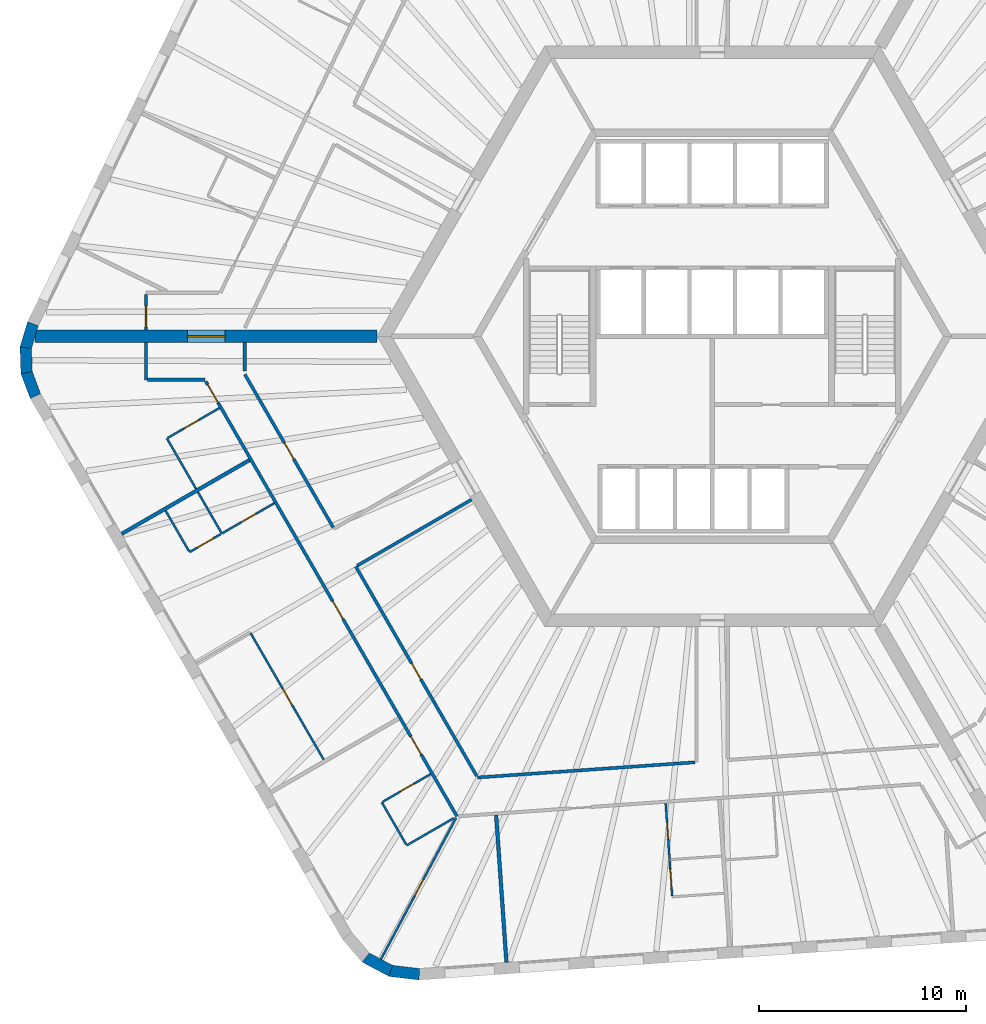
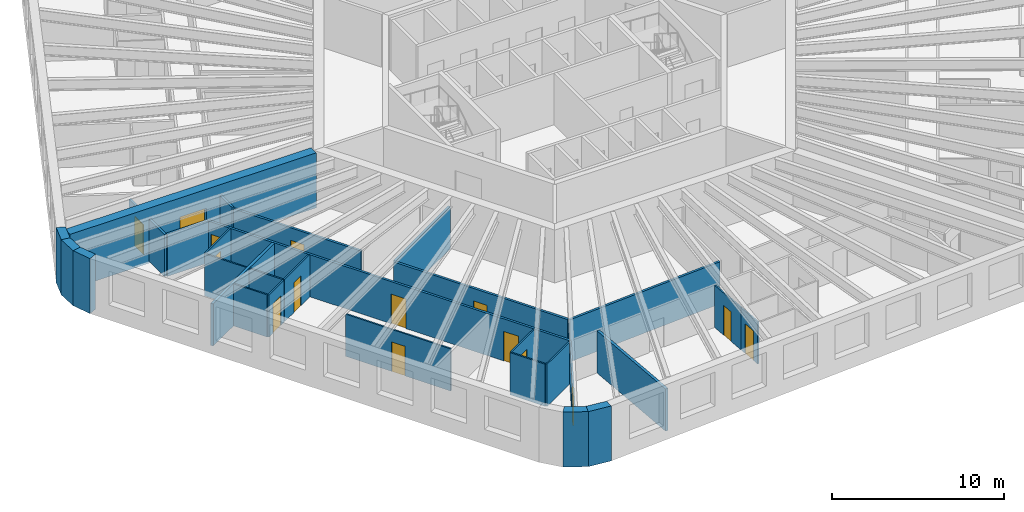
# One storey, part 3 of 11: 30 walls, 15 doors, 15 openings.
"""IFC4 building model written with IfcOpenShell, lengths in metres."""

from ifc_helpers import new_model, si_unit, direction, frame, frame_2d, origin, place, context, subcontext, project, spatial, polyline, rectangle, outline, extrude, material, layer, layer_set, type_object, element, fill, save


model = new_model("IFC4")

# Units and contexts
model_context = context("Model", 3, precision=1e-05, world=origin(), true_north=direction((0.0, 1.0)))
body_context = subcontext(model_context, "Body", "Model", "MODEL_VIEW")
ifc_project = project(units=[si_unit("LENGTHUNIT", "METRE"), si_unit("AREAUNIT", "SQUARE_METRE"), si_unit("VOLUMEUNIT", "CUBIC_METRE"), si_unit("PLANEANGLEUNIT", "RADIAN"), si_unit("MASSUNIT", "GRAM", prefix="KILO")], contexts=[model_context])

# Site, building, storey
site_placement = place(None, origin())
site = spatial("IfcSite", under=ifc_project, at=site_placement, CompositionType="ELEMENT")
building_placement = place(site_placement, origin())
building = spatial("IfcBuilding", under=site, at=building_placement, Name="Tarnside Tower", CompositionType="ELEMENT")
storey_placement = place(building_placement, frame((0.0, 0.0, 103.800048828125)))
storey = spatial("IfcBuildingStorey", under=building, at=storey_placement, Name="L23", CompositionType="ELEMENT", Elevation=103.800048828125)

# Wall
ifc_material_1 = material(Name="Gypsum board partition on steel studs", Category="steel")
ifc_layer_1 = layer(ifc_material_1, 0.10009765625)
ifc_layer_set_1 = layer_set([ifc_layer_1], Name="Bathroom wall 100")
wall_type_1 = type_object("IfcWallType", Name="Bathroom wall 100", PredefinedType="PARTITIONING", material=ifc_layer_set_1)
wall_1_placement = place(storey_placement, frame((-24.90673828125, -7.360595703125, 0.0), z_axis=(0.0, 0.0, 1.0), x_axis=(-0.499933044277, 0.866064057238, 0.0)))
element("IfcWall", 1, at=wall_1_placement, inside=storey, type_object=wall_type_1, Name="Bathroom wall 07102", PredefinedType="PARTITIONING", context=body_context, shape_type="SweptSolid", body=[
    extrude(rectangle(XDim=2.81005859375, YDim=0.10009765625, at=frame_2d((1.405029296875, 0.0))), origin(), (0.0, 0.0, 1.0), 2.98779296875),
])

# Wall, opening, door
wall_2_placement = place(storey_placement, frame((-26.268310546875, -4.90185546875, 0.0), z_axis=(0.0, 0.0, 1.0), x_axis=(0.866018712932, 0.500011588718, 0.0)))
wall_2 = element("IfcWall", 2, at=wall_2_placement, inside=storey, type_object=wall_type_1, Name="Bathroom wall 07103", PredefinedType="PARTITIONING", context=body_context, shape_type="SweptSolid", body=[
    extrude(rectangle(XDim=2.875, YDim=0.10009765625, at=frame_2d((1.4375, 0.0))), origin(), (0.0, 0.0, 1.0), 2.98779296875),
])
opening_1_placement = place(wall_2_placement, frame((0.89990234375, 0.0, 0.0)))
opening_1 = element("IfcOpeningElement", 3, at=opening_1_placement, cuts=wall_2, Name="Opening D-B1", PredefinedType="OPENING", context=body_context, shape_type="SweptSolid", body=[
    extrude(rectangle(XDim=0.800048828125, YDim=2.10009765625, at=frame_2d((0.39990234375, 1.050048828125))), frame((0.0, 0.06005859375, 0.0), z_axis=(0.0, -1.0, 0.0), x_axis=(1.0, 0.0, 0.0)), (0.0, 0.0, 1.0), 0.1201171875),
])
ifc_material_2 = material(Name="Timber door leaf", Category="wood")
door_type_1 = type_object("IfcDoorType", Name="Bathroom door 800", OperationType="NOTDEFINED", PredefinedType="DOOR", material=ifc_material_2)
door_1_placement = place(opening_1_placement, origin())
door_1 = element("IfcDoor", 4, at=door_1_placement, inside=storey, type_object=door_type_1, Name="Bathroom door 07015", OperationType="SINGLE_SWING_RIGHT", OverallHeight=2.10009765625, OverallWidth=0.800048828125, PredefinedType="DOOR", context=body_context, shape_type="SweptSolid", body=[
    extrude(rectangle(XDim=0.800048828125, YDim=2.10009765625, at=frame_2d((0.39990234375, 1.050048828125))), frame((0.0, 0.02490234375, 0.0), z_axis=(0.0, -1.0, 0.0), x_axis=(1.0, 0.0, 0.0)), (0.0, 0.0, 1.0), 0.050048828125),
])
fill(opening_1, door_1)

wall_3_placement = place(storey_placement, frame((-21.12841796875, -8.054443359375, 0.0), z_axis=(0.0, 0.0, 1.0), x_axis=(-0.866046596414, -0.499963291492, 0.0)))
wall_3 = element("IfcWall", 5, at=wall_3_placement, inside=storey, type_object=wall_type_1, Name="Bathroom wall 07107", PredefinedType="PARTITIONING", context=body_context, shape_type="SweptSolid", body=[
    extrude(rectangle(XDim=2.925048828125, YDim=0.10009765625, at=frame_2d((1.46240234375, 0.0))), origin(), (0.0, 0.0, 1.0), 2.98779296875),
])
opening_2_placement = place(wall_3_placement, frame((1.02490234375, 0.0, 0.0)))
opening_2 = element("IfcOpeningElement", 6, at=opening_2_placement, cuts=wall_3, Name="Opening D-B1", PredefinedType="OPENING", context=body_context, shape_type="SweptSolid", body=[
    extrude(rectangle(XDim=0.800048828125, YDim=2.10009765625, at=frame_2d((0.39990234375, 1.050048828125))), frame((0.0, 0.06005859375, 0.0), z_axis=(0.0, -1.0, 0.0), x_axis=(1.0, 0.0, 0.0)), (0.0, 0.0, 1.0), 0.1201171875),
])
door_2_placement = place(opening_2_placement, origin())
door_2 = element("IfcDoor", 7, at=door_2_placement, inside=storey, type_object=door_type_1, Name="Bathroom door 07017", OperationType="SINGLE_SWING_RIGHT", OverallHeight=2.10009765625, OverallWidth=0.800048828125, PredefinedType="DOOR", context=body_context, shape_type="SweptSolid", body=[
    extrude(rectangle(XDim=0.800048828125, YDim=2.10009765625, at=frame_2d((0.39990234375, 1.050048828125))), frame((0.0, 0.02490234375, 0.0), z_axis=(0.0, -1.0, 0.0), x_axis=(1.0, 0.0, 0.0)), (0.0, 0.0, 1.0), 0.050048828125),
])
fill(opening_2, door_2)

# Walls
wall_4_placement = place(storey_placement, frame((-24.816650390625, -7.516357421875, 0.0), z_axis=(0.0, 0.0, 1.0), x_axis=(0.500031020067, -0.8660074936, 0.0)))
element("IfcWall", 8, at=wall_4_placement, inside=storey, type_object=wall_type_1, Name="Bathroom wall 07113", PredefinedType="PARTITIONING", context=body_context, shape_type="SweptSolid", body=[
    extrude(rectangle(XDim=2.260009765625, YDim=0.10009765625, at=frame_2d((1.1298828125, 0.0))), origin(), (0.0, 0.0, 1.0), 2.98779296875),
])
wall_5_placement = place(storey_placement, frame((-12.465576171875, -23.251220703125, 0.0), z_axis=(0.0, 0.0, 1.0), x_axis=(-0.866017009382, -0.50001453925, 0.0)))
element("IfcWall", 9, at=wall_5_placement, inside=storey, type_object=wall_type_1, Name="Bathroom wall 07115", PredefinedType="PARTITIONING", context=body_context, shape_type="SweptSolid", body=[
    extrude(rectangle(XDim=2.62890625, YDim=0.10009765625, at=frame_2d((1.314453125, 0.0))), origin(), (0.0, 0.0, 1.0), 2.98779296875),
])
wall_6_placement = place(storey_placement, frame((-14.767333984375, -24.5224609375, 0.0), z_axis=(0.0, 0.0, 1.0), x_axis=(-0.499938297808, 0.866061024631, 0.0)))
element("IfcWall", 10, at=wall_6_placement, inside=storey, type_object=wall_type_1, Name="Bathroom wall 07116", PredefinedType="PARTITIONING", context=body_context, shape_type="SweptSolid", body=[
    extrude(rectangle(XDim=2.349853515625, YDim=0.10009765625, at=frame_2d((1.1748046875, 0.0))), origin(), (0.0, 0.0, 1.0), 2.98779296875),
])

# Wall, opening, door
wall_7_placement = place(storey_placement, frame((-15.89892578125, -22.462158203125, 0.0), z_axis=(0.0, 0.0, 1.0), x_axis=(0.86604424267, 0.499967368674, 0.0)))
wall_7 = element("IfcWall", 11, at=wall_7_placement, inside=storey, type_object=wall_type_1, Name="Bathroom wall 07117", PredefinedType="PARTITIONING", context=body_context, shape_type="SweptSolid", body=[
    extrude(rectangle(XDim=2.675048828125, YDim=0.10009765625, at=frame_2d((1.33740234375, 0.0))), origin(), (0.0, 0.0, 1.0), 2.98779296875),
])
opening_3_placement = place(wall_7_placement, frame((0.949951171875, 0.0, 0.0)))
opening_3 = element("IfcOpeningElement", 12, at=opening_3_placement, cuts=wall_7, Name="Opening D-B1", PredefinedType="OPENING", context=body_context, shape_type="SweptSolid", body=[
    extrude(rectangle(XDim=0.800048828125, YDim=2.10009765625, at=frame_2d((0.39990234375, 1.050048828125))), frame((0.0, 0.06005859375, 0.0), z_axis=(0.0, -1.0, 0.0), x_axis=(1.0, 0.0, 0.0)), (0.0, 0.0, 1.0), 0.1201171875),
])
door_3_placement = place(opening_3_placement, origin())
door_3 = element("IfcDoor", 13, at=door_3_placement, inside=storey, type_object=door_type_1, Name="Bathroom door 07021", OperationType="SINGLE_SWING_RIGHT", OverallHeight=2.10009765625, OverallWidth=0.800048828125, PredefinedType="DOOR", context=body_context, shape_type="SweptSolid", body=[
    extrude(rectangle(XDim=0.800048828125, YDim=2.10009765625, at=frame_2d((0.39990234375, 1.050048828125))), frame((0.0, 0.02490234375, 0.0), z_axis=(0.0, -1.0, 0.0), x_axis=(1.0, 0.0, 0.0)), (0.0, 0.0, 1.0), 0.050048828125),
])
fill(opening_3, door_3)

wall_8_placement = place(storey_placement, frame((-2.054443359375, -25.2548828125, 0.0), z_axis=(0.0, 0.0, 1.0), x_axis=(-0.069789009646, 0.997561774595, 0.0)))
wall_8 = element("IfcWall", 14, at=wall_8_placement, inside=storey, type_object=wall_type_1, Name="Bathroom wall 07120", PredefinedType="PARTITIONING", context=body_context, shape_type="SweptSolid", body=[
    extrude(rectangle(XDim=2.72509765625, YDim=0.10009765625, at=frame_2d((1.362548828125, 0.0))), origin(), (0.0, 0.0, 1.0), 2.98779296875),
])
opening_4_placement = place(wall_8_placement, frame((1.0, 0.0, 0.0)))
opening_4 = element("IfcOpeningElement", 15, at=opening_4_placement, cuts=wall_8, Name="Opening D-B1", PredefinedType="OPENING", context=body_context, shape_type="SweptSolid", body=[
    extrude(rectangle(XDim=0.800048828125, YDim=2.10009765625, at=frame_2d((0.39990234375, 1.050048828125))), frame((0.0, 0.06005859375, 0.0), z_axis=(0.0, -1.0, 0.0), x_axis=(1.0, 0.0, 0.0)), (0.0, 0.0, 1.0), 0.1201171875),
])
door_4_placement = place(opening_4_placement, origin())
door_4 = element("IfcDoor", 16, at=door_4_placement, inside=storey, type_object=door_type_1, Name="Bathroom door 07024", OperationType="SINGLE_SWING_LEFT", OverallHeight=2.10009765625, OverallWidth=0.800048828125, PredefinedType="DOOR", context=body_context, shape_type="SweptSolid", body=[
    extrude(rectangle(XDim=0.800048828125, YDim=2.10009765625, at=frame_2d((0.39990234375, 1.050048828125))), frame((0.0, 0.02490234375, 0.0), z_axis=(0.0, -1.0, 0.0), x_axis=(1.0, 0.0, 0.0)), (0.0, 0.0, 1.0), 0.050048828125),
])
fill(opening_4, door_4)

ifc_material_3 = material(Name="Concrete C80/95", Category="concrete")
ifc_layer_2 = layer(ifc_material_3, 0.60009765625)
ifc_layer_set_2 = layer_set([ifc_layer_2], Name="Core wall Z1 600 C80/95")
wall_type_2 = type_object("IfcWallType", Name="Core wall Z1 600 C80/95", PredefinedType="SHEAR", material=ifc_layer_set_2)
wall_9_placement = place(storey_placement, frame((-16.165771484375, 0.0, -0.150146484375), z_axis=(0.0, 0.0, 1.0), x_axis=(-1.0, 0.0, 0.0)))
wall_9 = element("IfcWall", 17, at=wall_9_placement, inside=storey, type_object=wall_type_2, Name="L23 spine wall 2", PredefinedType="SHEAR", context=body_context, shape_type="SweptSolid", body=[
    extrude(rectangle(XDim=16.509033203125, YDim=0.60009765625, at=frame_2d((8.25439453125, 0.0))), origin(), (0.0, 0.0, 1.0), 3.900146484375),
])
opening_5_placement = place(wall_9_placement, frame((7.3544921875, 0.0, 0.14990234375)))
opening_5 = element("IfcOpeningElement", 18, at=opening_5_placement, cuts=wall_9, Name="Opening CD-SPN", PredefinedType="OPENING", context=body_context, shape_type="SweptSolid", body=[
    extrude(rectangle(XDim=1.800048828125, YDim=2.39990234375, at=frame_2d((0.89990234375, 1.199951171875))), frame((0.0, 0.31005859375, 0.0), z_axis=(0.0, -1.0, 0.0), x_axis=(1.0, 0.0, 0.0)), (0.0, 0.0, 1.0), 0.6201171875),
])
ifc_material_4 = material(Name="Steel fire door", Category="steel")
door_type_2 = type_object("IfcDoorType", Name="Spine passage double door FD60 1800x2400", OperationType="NOTDEFINED", PredefinedType="DOOR", material=ifc_material_4)
door_5_placement = place(opening_5_placement, origin())
door_5 = element("IfcDoor", 19, at=door_5_placement, inside=storey, type_object=door_type_2, Name="L23 spine passage door 2", OperationType="DOUBLE_DOOR_SINGLE_SWING", OverallHeight=2.39990234375, OverallWidth=1.800048828125, PredefinedType="DOOR", context=body_context, shape_type="SweptSolid", body=[
    extrude(rectangle(XDim=1.800048828125, YDim=2.39990234375, at=frame_2d((0.89990234375, 1.199951171875))), frame((0.0, 0.02490234375, 0.0), z_axis=(0.0, -1.0, 0.0), x_axis=(1.0, 0.0, 0.0)), (0.0, 0.0, 1.0), 0.050048828125),
])
fill(opening_5, door_5)

ifc_layer_3 = layer(ifc_material_1, 0.14990234375)
ifc_layer_set_3 = layer_set([ifc_layer_3], Name="Corridor wall 150 EI 60")
wall_type_3 = type_object("IfcWallType", Name="Corridor wall 150 EI 60", PredefinedType="PARTITIONING", material=ifc_layer_set_3)
wall_10_placement = place(storey_placement, frame((-27.3203125, 2.02490234375, 0.0), z_axis=(0.0, 0.0, 1.0), x_axis=(0.0, -1.0, 0.0)))
wall_10 = element("IfcWall", 20, at=wall_10_placement, inside=storey, type_object=wall_type_3, Name="Corridor wall 07017", PredefinedType="PARTITIONING", context=body_context, shape_type="SweptSolid", body=[
    extrude(rectangle(XDim=1.724853515625, YDim=0.14990234375, at=frame_2d((0.8623046875, 0.0))), origin(), (0.0, 0.0, 1.0), 2.98779296875),
])
opening_6_placement = place(wall_10_placement, frame((0.574951171875, 0.0, 0.0)))
opening_6 = element("IfcOpeningElement", 21, at=opening_6_placement, cuts=wall_10, Name="Opening D-E1", PredefinedType="OPENING", context=body_context, shape_type="SweptSolid", body=[
    extrude(rectangle(XDim=1.0, YDim=2.10009765625, at=frame_2d((0.5, 1.050048828125))), frame((0.0, 0.0849609375, 0.0), z_axis=(0.0, -1.0, 0.0), x_axis=(1.0, 0.0, 0.0)), (0.0, 0.0, 1.0), 0.169921875),
])
door_type_3 = type_object("IfcDoorType", Name="Unit entrance door 1000 FD30S", OperationType="NOTDEFINED", PredefinedType="DOOR", material=ifc_material_2)
door_6_placement = place(opening_6_placement, origin())
door_6 = element("IfcDoor", 22, at=door_6_placement, inside=storey, type_object=door_type_3, Name="Unit door 07013", OperationType="SINGLE_SWING_LEFT", OverallHeight=2.10009765625, OverallWidth=1.0, PredefinedType="DOOR", context=body_context, shape_type="SweptSolid", body=[
    extrude(rectangle(XDim=1.0, YDim=2.10009765625, at=frame_2d((0.5, 1.050048828125))), frame((0.0, 0.02490234375, 0.0), z_axis=(0.0, -1.0, 0.0), x_axis=(1.0, 0.0, 0.0)), (0.0, 0.0, 1.0), 0.050048828125),
])
fill(opening_6, door_6)

# Walls
wall_11_placement = place(storey_placement, frame((-27.3203125, -0.300048828125, 0.0), z_axis=(0.0, 0.0, 1.0), x_axis=(0.0, -1.0, 0.0)))
element("IfcWall", 23, at=wall_11_placement, inside=storey, type_object=wall_type_3, Name="Corridor wall 07027", PredefinedType="PARTITIONING", context=body_context, shape_type="SweptSolid", body=[
    extrude(rectangle(XDim=1.800048828125, YDim=0.14990234375, at=frame_2d((0.89990234375, 0.0))), origin(), (0.0, 0.0, 1.0), 2.98779296875),
])
wall_12_placement = place(storey_placement, frame((-27.245361328125, -2.10009765625, 0.0), z_axis=(0.0, 0.0, 1.0), x_axis=(1.0, 0.0, 0.0)))
element("IfcWall", 24, at=wall_12_placement, inside=storey, type_object=wall_type_3, Name="Corridor wall 07028", PredefinedType="PARTITIONING", context=body_context, shape_type="SweptSolid", body=[
    extrude(rectangle(XDim=2.765625, YDim=0.14990234375, at=frame_2d((1.3828125, 0.0))), origin(), (0.0, 0.0, 1.0), 2.98779296875),
])

# Wall, openings, doors
wall_13_placement = place(storey_placement, frame((-24.436279296875, -2.175048828125, 0.0), z_axis=(0.0, 0.0, 1.0), x_axis=(0.499996816197, -0.866027241946, 0.0)))
wall_13 = element("IfcWall", 25, at=wall_13_placement, inside=storey, type_object=wall_type_3, Name="Corridor wall 07029", PredefinedType="PARTITIONING", context=body_context, shape_type="SweptSolid", body=[
    extrude(rectangle(XDim=24.238037109375, YDim=0.14990234375, at=frame_2d((12.119140625, 0.0))), origin(), (0.0, 0.0, 1.0), 2.98779296875),
])
opening_7_placement = place(wall_13_placement, frame((0.179443359375, 0.0, 0.0)))
opening_7 = element("IfcOpeningElement", 26, at=opening_7_placement, cuts=wall_13, Name="Opening D-E1", PredefinedType="OPENING", context=body_context, shape_type="SweptSolid", body=[
    extrude(rectangle(XDim=1.0, YDim=2.10009765625, at=frame_2d((0.5, 1.050048828125))), frame((0.0, 0.0849609375, 0.0), z_axis=(0.0, -1.0, 0.0), x_axis=(1.0, 0.0, 0.0)), (0.0, 0.0, 1.0), 0.169921875),
])
opening_8_placement = place(wall_13_placement, frame((12.24560546875, 0.0, 0.0)))
opening_8 = element("IfcOpeningElement", 27, at=opening_8_placement, cuts=wall_13, Name="Opening D-E1", PredefinedType="OPENING", context=body_context, shape_type="SweptSolid", body=[
    extrude(rectangle(XDim=1.0, YDim=2.10009765625, at=frame_2d((0.5, 1.050048828125))), frame((0.0, 0.0849609375, 0.0), z_axis=(0.0, -1.0, 0.0), x_axis=(1.0, 0.0, 0.0)), (0.0, 0.0, 1.0), 0.169921875),
])
opening_9_placement = place(wall_13_placement, frame((19.791748046875, 0.0, 0.0)))
opening_9 = element("IfcOpeningElement", 28, at=opening_9_placement, cuts=wall_13, Name="Opening D-E1", PredefinedType="OPENING", context=body_context, shape_type="SweptSolid", body=[
    extrude(rectangle(XDim=1.0, YDim=2.10009765625, at=frame_2d((0.5, 1.050048828125))), frame((0.0, 0.0849609375, 0.0), z_axis=(0.0, -1.0, 0.0), x_axis=(1.0, 0.0, 0.0)), (0.0, 0.0, 1.0), 0.169921875),
])
door_7_placement = place(opening_7_placement, origin())
door_7 = element("IfcDoor", 29, at=door_7_placement, inside=storey, type_object=door_type_3, Name="Unit door 07014", OperationType="SINGLE_SWING_RIGHT", OverallHeight=2.10009765625, OverallWidth=1.0, PredefinedType="DOOR", context=body_context, shape_type="SweptSolid", body=[
    extrude(rectangle(XDim=1.0, YDim=2.10009765625, at=frame_2d((0.5, 1.050048828125))), frame((0.0, 0.02490234375, 0.0), z_axis=(0.0, -1.0, 0.0), x_axis=(1.0, 0.0, 0.0)), (0.0, 0.0, 1.0), 0.050048828125),
])
fill(opening_7, door_7)
door_8_placement = place(opening_8_placement, origin())
door_8 = element("IfcDoor", 30, at=door_8_placement, inside=storey, type_object=door_type_3, Name="Unit door 07016", OperationType="SINGLE_SWING_RIGHT", OverallHeight=2.10009765625, OverallWidth=1.0, PredefinedType="DOOR", context=body_context, shape_type="SweptSolid", body=[
    extrude(rectangle(XDim=1.0, YDim=2.10009765625, at=frame_2d((0.5, 1.050048828125))), frame((0.0, 0.02490234375, 0.0), z_axis=(0.0, -1.0, 0.0), x_axis=(1.0, 0.0, 0.0)), (0.0, 0.0, 1.0), 0.050048828125),
])
fill(opening_8, door_8)
door_9_placement = place(opening_9_placement, origin())
door_9 = element("IfcDoor", 31, at=door_9_placement, inside=storey, type_object=door_type_3, Name="Unit door 07020", OperationType="SINGLE_SWING_RIGHT", OverallHeight=2.10009765625, OverallWidth=1.0, PredefinedType="DOOR", context=body_context, shape_type="SweptSolid", body=[
    extrude(rectangle(XDim=1.0, YDim=2.10009765625, at=frame_2d((0.5, 1.050048828125))), frame((0.0, 0.02490234375, 0.0), z_axis=(0.0, -1.0, 0.0), x_axis=(1.0, 0.0, 0.0)), (0.0, 0.0, 1.0), 0.050048828125),
])
fill(opening_9, door_9)

# Wall, opening, door
wall_14_placement = place(storey_placement, frame((-18.287109375, -9.225830078125, 0.0), z_axis=(0.0, 0.0, 1.0), x_axis=(-0.500004853958, 0.866022601332, 0.0)))
wall_14 = element("IfcWall", 32, at=wall_14_placement, inside=storey, type_object=wall_type_3, Name="Corridor wall 07044", PredefinedType="PARTITIONING", context=body_context, shape_type="SweptSolid", body=[
    extrude(rectangle(XDim=8.53125, YDim=0.14990234375, at=frame_2d((4.265625, 0.0))), origin(), (0.0, 0.0, 1.0), 2.98779296875),
])
opening_10_placement = place(wall_14_placement, frame((3.815673828125, 0.0, 0.0)))
opening_10 = element("IfcOpeningElement", 33, at=opening_10_placement, cuts=wall_14, Name="Opening D-S1", PredefinedType="OPENING", context=body_context, shape_type="SweptSolid", body=[
    extrude(rectangle(XDim=0.89990234375, YDim=2.10009765625, at=frame_2d((0.449951171875, 1.050048828125))), frame((0.0, 0.0849609375, 0.0), z_axis=(0.0, -1.0, 0.0), x_axis=(1.0, 0.0, 0.0)), (0.0, 0.0, 1.0), 0.169921875),
])
door_type_4 = type_object("IfcDoorType", Name="Service room door 900 FD30S", OperationType="NOTDEFINED", PredefinedType="DOOR", material=ifc_material_2)
door_10_placement = place(opening_10_placement, origin())
door_10 = element("IfcDoor", 34, at=door_10_placement, inside=storey, type_object=door_type_4, Name="Service door 07045", OperationType="SINGLE_SWING_RIGHT", OverallHeight=2.10009765625, OverallWidth=0.89990234375, PredefinedType="DOOR", context=body_context, shape_type="SweptSolid", body=[
    extrude(rectangle(XDim=0.89990234375, YDim=2.10009765625, at=frame_2d((0.449951171875, 1.050048828125))), frame((0.0, 0.02490234375, 0.0), z_axis=(0.0, -1.0, 0.0), x_axis=(1.0, 0.0, 0.0)), (0.0, 0.0, 1.0), 0.050048828125),
])
fill(opening_10, door_10)

# Walls
wall_15_placement = place(storey_placement, frame((-22.552734375, -1.6875, 0.0), z_axis=(0.0, 0.0, 1.0), x_axis=(0.0, 1.0, 0.0)))
element("IfcWall", 35, at=wall_15_placement, inside=storey, type_object=wall_type_3, Name="Corridor wall 07045", PredefinedType="PARTITIONING", context=body_context, shape_type="SweptSolid", body=[
    extrude(rectangle(XDim=1.387451171875, YDim=0.14990234375, at=frame_2d((0.69384765625, 0.0))), origin(), (0.0, 0.0, 1.0), 2.98779296875),
])
wall_16_placement = place(storey_placement, frame((-0.824951171875, -20.5576171875, 0.0), z_axis=(0.0, 0.0, 1.0), x_axis=(-0.997564524135, -0.069749696677, 0.0)))
element("IfcWall", 36, at=wall_16_placement, inside=storey, type_object=wall_type_3, Name="Corridor wall 07047", PredefinedType="PARTITIONING", context=body_context, shape_type="SweptSolid", body=[
    extrude(rectangle(XDim=10.521728515625, YDim=0.14990234375, at=frame_2d((5.2607421875, 0.0))), origin(), (0.0, 0.0, 1.0), 2.98779296875),
])

# Wall, opening, door
wall_17_placement = place(storey_placement, frame((-11.362548828125, -21.21923828125, 0.0), z_axis=(0.0, 0.0, 1.0), x_axis=(-0.50001451402, 0.866017023949, 0.0)))
wall_17 = element("IfcWall", 37, at=wall_17_placement, inside=storey, type_object=wall_type_3, Name="Corridor wall 07048", PredefinedType="PARTITIONING", context=body_context, shape_type="SweptSolid", body=[
    extrude(rectangle(XDim=11.674072265625, YDim=0.14990234375, at=frame_2d((5.8369140625, 0.0))), origin(), (0.0, 0.0, 1.0), 2.98779296875),
])
opening_11_placement = place(wall_17_placement, frame((5.386962890625, 0.0, 0.0)))
opening_11 = element("IfcOpeningElement", 38, at=opening_11_placement, cuts=wall_17, Name="Opening D-S1", PredefinedType="OPENING", context=body_context, shape_type="SweptSolid", body=[
    extrude(rectangle(XDim=0.89990234375, YDim=2.10009765625, at=frame_2d((0.449951171875, 1.050048828125))), frame((0.0, 0.0849609375, 0.0), z_axis=(0.0, -1.0, 0.0), x_axis=(1.0, 0.0, 0.0)), (0.0, 0.0, 1.0), 0.169921875),
])
door_11_placement = place(opening_11_placement, origin())
door_11 = element("IfcDoor", 39, at=door_11_placement, inside=storey, type_object=door_type_4, Name="Service door 07046", OperationType="SINGLE_SWING_RIGHT", OverallHeight=2.10009765625, OverallWidth=0.89990234375, PredefinedType="DOOR", context=body_context, shape_type="SweptSolid", body=[
    extrude(rectangle(XDim=0.89990234375, YDim=2.10009765625, at=frame_2d((0.449951171875, 1.050048828125))), frame((0.0, 0.02490234375, 0.0), z_axis=(0.0, -1.0, 0.0), x_axis=(1.0, 0.0, 0.0)), (0.0, 0.0, 1.0), 0.050048828125),
])
fill(opening_11, door_11)

# Walls
wall_18_placement = place(storey_placement, frame((-17.134765625, -11.07177734375, 0.0), z_axis=(0.0, 0.0, 1.0), x_axis=(0.866028703517, 0.499994284652, 0.0)))
element("IfcWall", 40, at=wall_18_placement, inside=storey, type_object=wall_type_3, Name="Corridor wall 07049", PredefinedType="PARTITIONING", context=body_context, shape_type="SweptSolid", body=[
    extrude(rectangle(XDim=6.375, YDim=0.14990234375, at=frame_2d((3.1875, 0.0))), origin(), (0.0, 0.0, 1.0), 2.98779296875),
])
ifc_layer_4 = layer(ifc_material_1, 0.179931640625)
ifc_layer_set_4 = layer_set([ifc_layer_4], Name="Demising wall 180 EI 60")
wall_type_4 = type_object("IfcWallType", Name="Demising wall 180 EI 60", PredefinedType="PARTITIONING", material=ifc_layer_set_4)
for number, where, z_axis, x_axis, name in (
    (41, (-28.4990234375, -9.538330078125, 0.0), (0.0, 0.0, 1.0), (0.866024672353, 0.500001266874, 0.0), "Demising wall 07104"),
    (42, (-9.927490234375, -30.216064453125, 0.0), (0.0, 0.0, 1.0), (-0.069764000094, 0.997563523938, 0.0), "Demising wall 07119"),
):
    element("IfcWall", number, at=place(storey_placement, frame(where, z_axis=z_axis, x_axis=x_axis)), inside=storey, type_object=wall_type_4, Name=name, PredefinedType="PARTITIONING", context=body_context, shape_type="SweptSolid", body=[
        extrude(rectangle(XDim=7.125, YDim=0.179931640625, at=frame_2d((3.5625, 0.0))), origin(), (0.0, 0.0, 1.0), 2.98779296875),
    ])

# Wall, opening, door
ifc_layer_5 = layer(ifc_material_1, 0.10009765625)
ifc_layer_set_5 = layer_set([ifc_layer_5], Name="Partition 100")
wall_type_5 = type_object("IfcWallType", Name="Partition 100", PredefinedType="PARTITIONING", material=ifc_layer_set_5)
wall_19_placement = place(storey_placement, frame((-23.704833984375, -9.5419921875, 0.0), z_axis=(0.0, 0.0, 1.0), x_axis=(-0.866036909293, -0.499980071345, 0.0)))
wall_19 = element("IfcWall", 43, at=wall_19_placement, inside=storey, type_object=wall_type_5, Name="Partition wall 07108", PredefinedType="PARTITIONING", context=body_context, shape_type="SweptSolid", body=[
    extrude(rectangle(XDim=1.75, YDim=0.10009765625, at=frame_2d((0.875, 0.0))), origin(), (0.0, 0.0, 1.0), 2.98779296875),
])
opening_12_placement = place(wall_19_placement, frame((0.39990234375, 0.0, 0.0)))
opening_12 = element("IfcOpeningElement", 44, at=opening_12_placement, cuts=wall_19, Name="Opening D-I1", PredefinedType="OPENING", context=body_context, shape_type="SweptSolid", body=[
    extrude(rectangle(XDim=0.89990234375, YDim=2.10009765625, at=frame_2d((0.449951171875, 1.050048828125))), frame((0.0, 0.06005859375, 0.0), z_axis=(0.0, -1.0, 0.0), x_axis=(1.0, 0.0, 0.0)), (0.0, 0.0, 1.0), 0.1201171875),
])
door_type_5 = type_object("IfcDoorType", Name="Internal door 900", OperationType="NOTDEFINED", PredefinedType="DOOR", material=ifc_material_2)
door_12_placement = place(opening_12_placement, origin())
door_12 = element("IfcDoor", 45, at=door_12_placement, inside=storey, type_object=door_type_5, Name="Internal door 07018", OperationType="SINGLE_SWING_RIGHT", OverallHeight=2.10009765625, OverallWidth=0.89990234375, PredefinedType="DOOR", context=body_context, shape_type="SweptSolid", body=[
    extrude(rectangle(XDim=0.89990234375, YDim=2.10009765625, at=frame_2d((0.449951171875, 1.050048828125))), frame((0.0, 0.02490234375, 0.0), z_axis=(0.0, -1.0, 0.0), x_axis=(1.0, 0.0, 0.0)), (0.0, 0.0, 1.0), 0.050048828125),
])
fill(opening_12, door_12)

# Wall
wall_20_placement = place(storey_placement, frame((-25.245361328125, -10.37353515625, 0.0), z_axis=(0.0, 0.0, 1.0), x_axis=(-0.500031020067, 0.8660074936, 0.0)))
element("IfcWall", 46, at=wall_20_placement, inside=storey, type_object=wall_type_5, Name="Partition wall 07109", PredefinedType="PARTITIONING", context=body_context, shape_type="SweptSolid", body=[
    extrude(rectangle(XDim=2.260009765625, YDim=0.10009765625, at=frame_2d((1.1298828125, 0.0))), origin(), (0.0, 0.0, 1.0), 2.98779296875),
])

# Wall, opening, door
wall_21_placement = place(storey_placement, frame((-22.27587890625, -14.317138671875, 0.0), z_axis=(0.0, 0.0, 1.0), x_axis=(0.500010820671, -0.866019156377, 0.0)))
wall_21 = element("IfcWall", 47, at=wall_21_placement, inside=storey, type_object=wall_type_5, Name="Partition wall 07111", PredefinedType="PARTITIONING", context=body_context, shape_type="SweptSolid", body=[
    extrude(rectangle(XDim=7.059814453125, YDim=0.10009765625, at=frame_2d((3.52978515625, 0.0))), origin(), (0.0, 0.0, 1.0), 2.98779296875),
])
opening_13_placement = place(wall_21_placement, frame((3.10009765625, 0.0, 0.0)))
opening_13 = element("IfcOpeningElement", 48, at=opening_13_placement, cuts=wall_21, Name="Opening D-I1", PredefinedType="OPENING", context=body_context, shape_type="SweptSolid", body=[
    extrude(rectangle(XDim=0.89990234375, YDim=2.10009765625, at=frame_2d((0.449951171875, 1.050048828125))), frame((0.0, 0.06005859375, 0.0), z_axis=(0.0, -1.0, 0.0), x_axis=(1.0, 0.0, 0.0)), (0.0, 0.0, 1.0), 0.1201171875),
])
door_13_placement = place(opening_13_placement, origin())
door_13 = element("IfcDoor", 49, at=door_13_placement, inside=storey, type_object=door_type_5, Name="Internal door 07019", OperationType="SINGLE_SWING_LEFT", OverallHeight=2.10009765625, OverallWidth=0.89990234375, PredefinedType="DOOR", context=body_context, shape_type="SweptSolid", body=[
    extrude(rectangle(XDim=0.89990234375, YDim=2.10009765625, at=frame_2d((0.449951171875, 1.050048828125))), frame((0.0, 0.02490234375, 0.0), z_axis=(0.0, -1.0, 0.0), x_axis=(1.0, 0.0, 0.0)), (0.0, 0.0, 1.0), 0.050048828125),
])
fill(opening_13, door_13)

wall_22_placement = place(storey_placement, frame((-15.98291015625, -30.059326171875, 0.0), z_axis=(0.0, 0.0, 1.0), x_axis=(0.469495384778, 0.882934926069, 0.0)))
wall_22 = element("IfcWall", 50, at=wall_22_placement, inside=storey, type_object=wall_type_5, Name="Partition wall 07118", PredefinedType="PARTITIONING", context=body_context, shape_type="SweptSolid", body=[
    extrude(rectangle(XDim=7.713134765625, YDim=0.10009765625, at=frame_2d((3.8564453125, 0.0))), origin(), (0.0, 0.0, 1.0), 2.98779296875),
])
opening_14_placement = place(wall_22_placement, frame((3.453857421875, 0.0, 0.0)))
opening_14 = element("IfcOpeningElement", 51, at=opening_14_placement, cuts=wall_22, Name="Opening D-I1", PredefinedType="OPENING", context=body_context, shape_type="SweptSolid", body=[
    extrude(rectangle(XDim=0.89990234375, YDim=2.10009765625, at=frame_2d((0.449951171875, 1.050048828125))), frame((0.0, 0.06005859375, 0.0), z_axis=(0.0, -1.0, 0.0), x_axis=(1.0, 0.0, 0.0)), (0.0, 0.0, 1.0), 0.1201171875),
])
door_14_placement = place(opening_14_placement, origin())
door_14 = element("IfcDoor", 52, at=door_14_placement, inside=storey, type_object=door_type_5, Name="Internal door 07022", OperationType="SINGLE_SWING_LEFT", OverallHeight=2.10009765625, OverallWidth=0.89990234375, PredefinedType="DOOR", context=body_context, shape_type="SweptSolid", body=[
    extrude(rectangle(XDim=0.89990234375, YDim=2.10009765625, at=frame_2d((0.449951171875, 1.050048828125))), frame((0.0, 0.02490234375, 0.0), z_axis=(0.0, -1.0, 0.0), x_axis=(1.0, 0.0, 0.0)), (0.0, 0.0, 1.0), 0.050048828125),
])
fill(opening_14, door_14)

wall_23_placement = place(storey_placement, frame((-1.932373046875, -27.00048828125, 0.0), z_axis=(0.0, 0.0, 1.0), x_axis=(-0.069797686069, 0.997561167558, 0.0)))
wall_23 = element("IfcWall", 53, at=wall_23_placement, inside=storey, type_object=wall_type_5, Name="Partition wall 07122", PredefinedType="PARTITIONING", context=body_context, shape_type="SweptSolid", body=[
    extrude(rectangle(XDim=1.699951171875, YDim=0.10009765625, at=frame_2d((0.85009765625, 0.0))), origin(), (0.0, 0.0, 1.0), 2.98779296875),
])
opening_15_placement = place(wall_23_placement, frame((0.39990234375, 0.0, 0.0)))
opening_15 = element("IfcOpeningElement", 54, at=opening_15_placement, cuts=wall_23, Name="Opening D-I1", PredefinedType="OPENING", context=body_context, shape_type="SweptSolid", body=[
    extrude(rectangle(XDim=0.89990234375, YDim=2.10009765625, at=frame_2d((0.449951171875, 1.050048828125))), frame((0.0, 0.06005859375, 0.0), z_axis=(0.0, -1.0, 0.0), x_axis=(1.0, 0.0, 0.0)), (0.0, 0.0, 1.0), 0.1201171875),
])
door_15_placement = place(opening_15_placement, origin())
door_15 = element("IfcDoor", 55, at=door_15_placement, inside=storey, type_object=door_type_5, Name="Internal door 07025", OperationType="SINGLE_SWING_RIGHT", OverallHeight=2.10009765625, OverallWidth=0.89990234375, PredefinedType="DOOR", context=body_context, shape_type="SweptSolid", body=[
    extrude(rectangle(XDim=0.89990234375, YDim=2.10009765625, at=frame_2d((0.449951171875, 1.050048828125))), frame((0.0, 0.02490234375, 0.0), z_axis=(0.0, -1.0, 0.0), x_axis=(1.0, 0.0, 0.0)), (0.0, 0.0, 1.0), 0.050048828125),
])
fill(opening_15, door_15)

# Walls
ifc_material_5 = material(Name="Facing brick", Category="masonry")
ifc_layer_6 = layer(ifc_material_5, 0.10205078125)
ifc_material_6 = material(Name="Concrete C60/75 precast", Category="concrete")
ifc_layer_7 = layer(ifc_material_6, 0.347900390625)
ifc_material_7 = material(Name="Mineral wool insulation")
ifc_layer_8 = layer(ifc_material_7, 0.10009765625)
ifc_layer_set_6 = layer_set([ifc_layer_6, ifc_layer_7, ifc_layer_8], Name="Tube wall 550 brick faced")
wall_type_6 = type_object("IfcWallType", Name="Tube wall 550 brick faced", PredefinedType="SOLIDWALL", material=ifc_layer_set_6)
wall_24_placement = place(storey_placement, frame((-32.77685546875, 0.605224609375, -0.150146484375), z_axis=(0.0, 0.0, 1.0), x_axis=(-0.286921497463, -0.957954098219, 0.0)))
element("IfcWall", 56, at=wall_24_placement, inside=storey, type_object=wall_type_6, Name="Tube wall L23 F2 chord 05", PredefinedType="SOLIDWALL", context=body_context, shape_type="SweptSolid", body=[
    extrude(outline(polyline([(-0.0224609375, -0.27490234375), (1.25341796875, -0.27490234375), (1.1630859375, 0.27490234375), (0.0224609375, 0.27490234375), (-0.0224609375, -0.27490234375)])), origin(), (0.0, 0.0, 1.0), 3.900146484375),
])
wall_25_placement = place(storey_placement, frame((-33.12353515625, -0.55224609375, -0.150146484375), z_axis=(0.0, 0.0, 1.0), x_axis=(0.03495638276, -0.999388838893, 0.0)))
element("IfcWall", 57, at=wall_25_placement, inside=storey, type_object=wall_type_6, Name="Tube wall L23 F2 chord 06", PredefinedType="SOLIDWALL", context=body_context, shape_type="SweptSolid", body=[
    extrude(outline(polyline([(-0.045166015625, -0.27490234375), (1.25341796875, -0.27490234375), (1.1630859375, 0.27490234375), (0.045166015625, 0.27490234375), (-0.045166015625, -0.27490234375)])), origin(), (0.0, 0.0, 1.0), 3.900146484375),
])
wall_26_placement = place(storey_placement, frame((-33.081298828125, -1.759765625, -0.150146484375), z_axis=(0.0, 0.0, 1.0), x_axis=(0.353027214741, -0.935613053378, 0.0)))
element("IfcWall", 58, at=wall_26_placement, inside=storey, type_object=wall_type_6, Name="Tube wall L23 F2 chord 07", PredefinedType="SOLIDWALL", context=body_context, shape_type="SweptSolid", body=[
    extrude(outline(polyline([(-0.045166015625, -0.27490234375), (1.230712890625, -0.27490234375), (1.185791015625, 0.27490234375), (0.045166015625, 0.27490234375), (-0.045166015625, -0.27490234375)])), origin(), (0.0, 0.0, 1.0), 3.900146484375),
])
wall_27_placement = place(storey_placement, frame((-16.720703125, -29.978515625, -0.150146484375), z_axis=(0.0, 0.0, 1.0), x_axis=(0.882994189209, -0.469383917304, 0.0)))
element("IfcWall", 59, at=wall_27_placement, inside=storey, type_object=wall_type_6, Name="Tube wall L23 F3 chord 10", PredefinedType="SOLIDWALL", context=body_context, shape_type="SweptSolid", body=[
    extrude(outline(polyline([(-0.0517578125, -0.27490234375), (1.4306640625, -0.27490234375), (1.3271484375, 0.27490234375), (0.0517578125, 0.27490234375), (-0.0517578125, -0.27490234375)])), origin(), (0.0, 0.0, 1.0), 3.900146484375),
])
wall_28_placement = place(storey_placement, frame((-15.503173828125, -30.625732421875, -0.150146484375), z_axis=(0.0, 0.0, 1.0), x_axis=(0.993232537394, -0.11614269956, 0.0)))
element("IfcWall", 60, at=wall_28_placement, inside=storey, type_object=wall_type_6, Name="Tube wall L23 F3 chord 11", PredefinedType="SOLIDWALL", context=body_context, shape_type="SweptSolid", body=[
    extrude(outline(polyline([(-0.0517578125, -0.27490234375), (1.404541015625, -0.27490234375), (1.353271484375, 0.27490234375), (0.0517578125, 0.27490234375), (-0.0517578125, -0.27490234375)])), origin(), (0.0, 0.0, 1.0), 3.900146484375),
])

save(model, "model.ifc")
